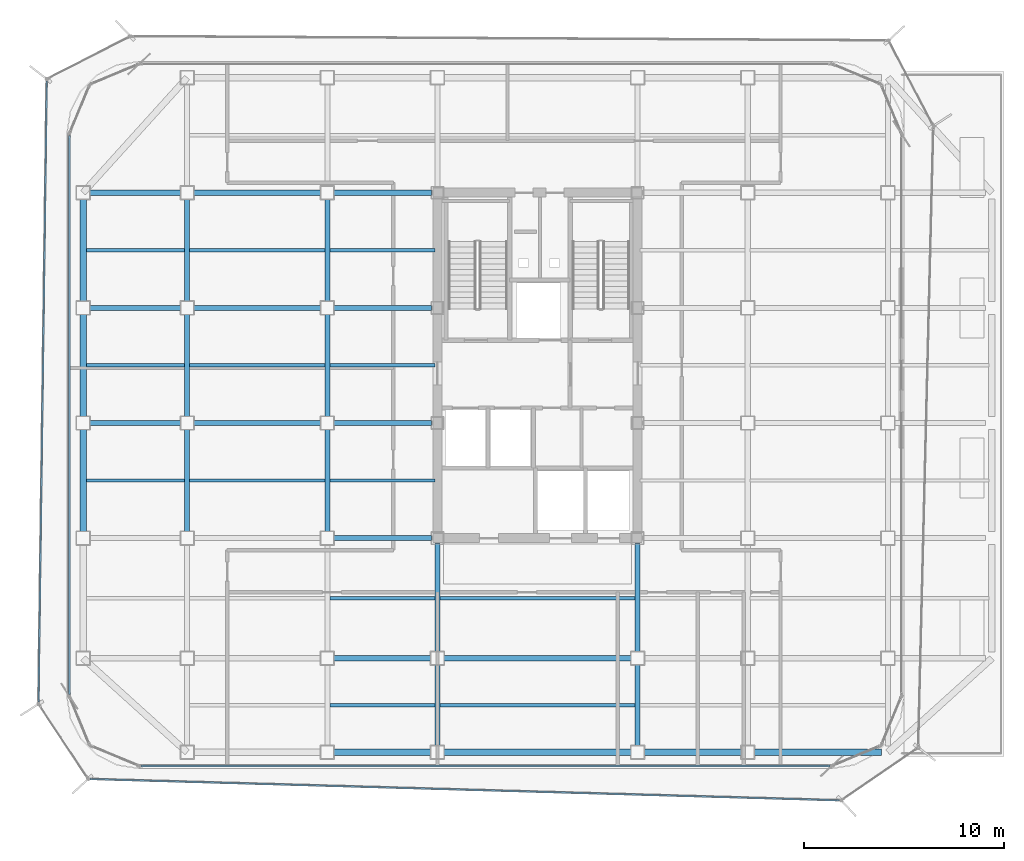
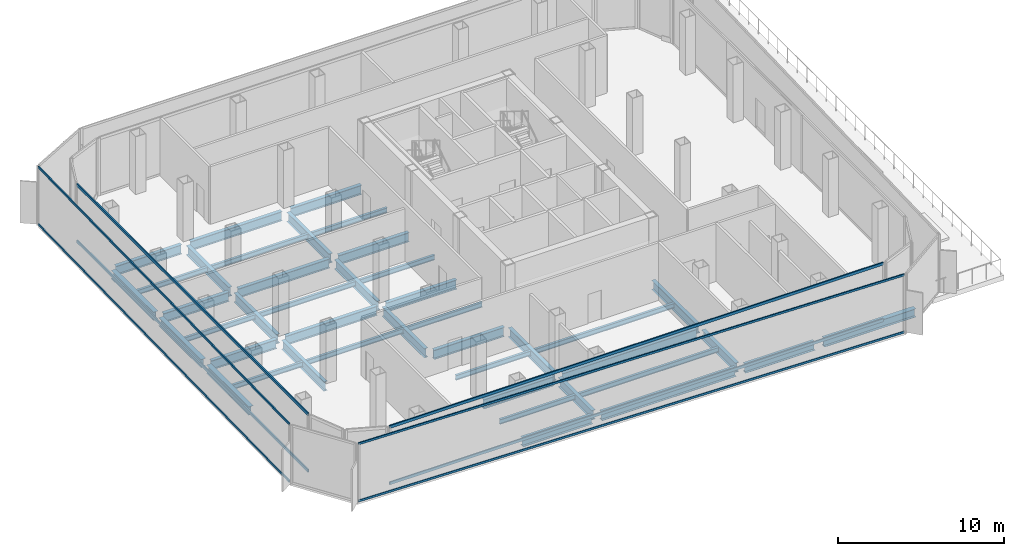
# One storey, part 3 of 14: 42 beams, 8 members, 4 elements without a shape of their own.
"""IFC4 building model written with IfcOpenShell, lengths in metres."""

from ifc_helpers import new_model, si_unit, direction, frame, origin, origin_2d, place, context, subcontext, project, spatial, hollow_rectangle, i_section, extrude, source, transform, mapped, material, layer, layer_set, material_profile, profile_set, type_object, element, aggregate, save


model = new_model("IFC4")

# Units and contexts
model_context = context("Model", 3, precision=1e-05, world=origin(), true_north=direction((0.0, 1.0)))
body_context = subcontext(model_context, "Body", "Model", "MODEL_VIEW")
ifc_project = project(units=[si_unit("LENGTHUNIT", "METRE"), si_unit("AREAUNIT", "SQUARE_METRE"), si_unit("VOLUMEUNIT", "CUBIC_METRE"), si_unit("PLANEANGLEUNIT", "RADIAN"), si_unit("MASSUNIT", "GRAM", prefix="KILO")], contexts=[model_context])

# Site, building, storey
site_placement = place(None, origin())
site = spatial("IfcSite", under=ifc_project, at=site_placement, CompositionType="ELEMENT")
building_placement = place(site_placement, origin())
building = spatial("IfcBuilding", under=site, at=building_placement, Name="Kolveth Station Tower", CompositionType="ELEMENT")
storey_placement = place(building_placement, frame((0.0, 0.0, 151.60009765625)))
storey = spatial("IfcBuildingStorey", under=building, at=storey_placement, Name="L42", CompositionType="ELEMENT", Elevation=151.60009765625)

# Beams
ifc_material_1 = material(Name="Steel S355", Category="steel")
ifc_material_profile_1 = material_profile(ifc_material_1, i_section(OverallWidth=0.323974609375, OverallDepth=0.611083984375, WebThickness=0.0126953125, FlangeThickness=0.01904296875, at=origin_2d()), Name="W610x155")
ifc_profile_set_1 = profile_set([ifc_material_profile_1], Name="Steel S355")
beam_type_1 = type_object("IfcBeamType", Name="Beam_SP2", PredefinedType="SPANDREL", material=ifc_profile_set_1)
shared_shape_1 = source(origin(), body_context, "Body", "SweptSolid", [
    extrude(i_section(OverallWidth=0.323974609375, OverallDepth=0.611083984375, WebThickness=0.0126953125, FlangeThickness=0.01904296875, at=origin_2d()), origin(), (0.0, 0.0, 1.0), 6.35986328125),
])
beam_1_placement = place(storey_placement, frame((34.320068359375, 0.800048828125, -0.66552734375), z_axis=(1.0, 0.0, 0.0), x_axis=(0.0, 1.0, 0.0)))
element("IfcBeam", 1, at=beam_1_placement, inside=storey, type_object=beam_type_1, Name="L42 Perimeter Spandrel BM-L42-PS-5", PredefinedType="SPANDREL", context=body_context, shape_type="MappedRepresentation", body=[
    mapped(shared_shape_1, transform((0.0, 0.0, 0.0), x_axis=(1.0, 0.0, 0.0), y_axis=(0.0, 1.0, 0.0), z_axis=(0.0, 0.0, 1.0), scale=1.0)),
])
shared_shape_2 = source(origin(), body_context, "Body", "SweptSolid", [
    extrude(i_section(OverallWidth=0.323974609375, OverallDepth=0.611083984375, WebThickness=0.0126953125, FlangeThickness=0.01904296875, at=origin_2d()), origin(), (0.0, 0.0, 1.0), 4.85986328125),
])
for number, where, z_axis, x_axis, name in (
    (2, (13.320068359375, 0.800048828125, -0.66552734375), (1.0, 0.0, 0.0), (0.0, 1.0, 0.0), "L42 Perimeter Spandrel BM-L42-PS-2"),
    (3, (28.820068359375, 0.800048828125, -0.66552734375), (1.0, 0.0, 0.0), (0.0, 1.0, 0.0), "L42 Perimeter Spandrel BM-L42-PS-4"),
):
    element("IfcBeam", number, at=place(storey_placement, frame(where, z_axis=z_axis, x_axis=x_axis)), inside=storey, type_object=beam_type_1, Name=name, PredefinedType="SPANDREL", context=body_context, shape_type="MappedRepresentation", body=[
        mapped(shared_shape_2, transform((0.0, 0.0, 0.0), x_axis=(1.0, 0.0, 0.0), y_axis=(0.0, 1.0, 0.0), z_axis=(0.0, 0.0, 1.0), scale=1.0)),
    ])
shared_shape_3 = source(origin(), body_context, "Body", "SweptSolid", [
    extrude(i_section(OverallWidth=0.323974609375, OverallDepth=0.611083984375, WebThickness=0.0126953125, FlangeThickness=0.01904296875, at=origin_2d()), origin(), (0.0, 0.0, 1.0), 9.35986328125),
])
beam_2_placement = place(storey_placement, frame((18.820068359375, 0.800048828125, -0.66552734375), z_axis=(1.0, 0.0, 0.0), x_axis=(0.0, 1.0, 0.0)))
element("IfcBeam", 4, at=beam_2_placement, inside=storey, type_object=beam_type_1, Name="L42 Perimeter Spandrel BM-L42-PS-3", PredefinedType="SPANDREL", context=body_context, shape_type="MappedRepresentation", body=[
    mapped(shared_shape_3, transform((0.0, 0.0, 0.0), x_axis=(1.0, 0.0, 0.0), y_axis=(0.0, 1.0, 0.0), z_axis=(0.0, 0.0, 1.0), scale=1.0)),
])
shared_shape_4 = source(origin(), body_context, "Body", "SweptSolid", [
    extrude(i_section(OverallWidth=0.323974609375, OverallDepth=0.611083984375, WebThickness=0.0126953125, FlangeThickness=0.01904296875, at=origin_2d()), origin(), (0.0, 0.0, 1.0), 5.10986328125),
])
for number, where, z_axis, x_axis, name in (
    (5, (0.800048828125, 11.820068359375, -0.66552734375), (0.0, 1.0, 0.0), (-1.0, 0.0, 0.0), "L42 Perimeter Spandrel BM-L42-PW-2"),
    (6, (0.800048828125, 17.570068359375, -0.66552734375), (0.0, 1.0, 0.0), (-1.0, 0.0, 0.0), "L42 Perimeter Spandrel BM-L42-PW-3"),
    (7, (0.800048828125, 23.320068359375, -0.66552734375), (0.0, 1.0, 0.0), (-1.0, 0.0, 0.0), "L42 Perimeter Spandrel BM-L42-PW-4"),
):
    element("IfcBeam", number, at=place(storey_placement, frame(where, z_axis=z_axis, x_axis=x_axis)), inside=storey, type_object=beam_type_1, Name=name, PredefinedType="SPANDREL", context=body_context, shape_type="MappedRepresentation", body=[
        mapped(shared_shape_4, transform((0.0, 0.0, 0.0), x_axis=(1.0, 0.0, 0.0), y_axis=(0.0, 1.0, 0.0), z_axis=(0.0, 0.0, 1.0), scale=1.0)),
    ])
ifc_material_profile_2 = material_profile(ifc_material_1, i_section(OverallWidth=0.25390625, OverallDepth=0.68798828125, WebThickness=0.01318359375, FlangeThickness=0.02099609375, at=origin_2d()), Name="W690x152")
ifc_profile_set_2 = profile_set([ifc_material_profile_2], Name="Steel S355")
beam_type_2 = type_object("IfcBeamType", Name="Beam_B4", PredefinedType="BEAM", material=ifc_profile_set_2)
shared_shape_5 = source(origin(), body_context, "Body", "SweptSolid", [
    extrude(i_section(OverallWidth=0.25390625, OverallDepth=0.68798828125, WebThickness=0.01318359375, FlangeThickness=0.02099609375, at=origin_2d()), origin(), (0.0, 0.0, 1.0), 4.559814453125),
])
for number, where, z_axis, x_axis, name in (
    (8, (1.1201171875, 17.25, -0.7041015625), (1.0, 0.0, 0.0), (0.0, 1.0, 0.0), "L42 Primary Girder BM-L42-GY172-1"),
    (9, (1.1201171875, 23.0, -0.7041015625), (1.0, 0.0, 0.0), (0.0, 1.0, 0.0), "L42 Primary Girder BM-L42-GY230-1"),
    (10, (1.1201171875, 28.75, -0.7041015625), (1.0, 0.0, 0.0), (0.0, 1.0, 0.0), "L42 Primary Girder BM-L42-GY287-1"),
):
    element("IfcBeam", number, at=place(storey_placement, frame(where, z_axis=z_axis, x_axis=x_axis)), inside=storey, type_object=beam_type_2, Name=name, PredefinedType="BEAM", context=body_context, shape_type="MappedRepresentation", body=[
        mapped(shared_shape_5, transform((0.0, 0.0, 0.0), x_axis=(1.0, 0.0, 0.0), y_axis=(0.0, 1.0, 0.0), z_axis=(0.0, 0.0, 1.0), scale=1.0)),
    ])
shared_shape_6 = source(origin(), body_context, "Body", "SweptSolid", [
    extrude(i_section(OverallWidth=0.25390625, OverallDepth=0.68798828125, WebThickness=0.01318359375, FlangeThickness=0.02099609375, at=origin_2d()), origin(), (0.0, 0.0, 1.0), 6.35986328125),
])
for number, where, z_axis, x_axis, name in (
    (11, (6.320068359375, 17.25, -0.7041015625), (1.0, 0.0, 0.0), (0.0, 1.0, 0.0), "L42 Primary Girder BM-L42-GY172-2"),
    (12, (6.320068359375, 23.0, -0.7041015625), (1.0, 0.0, 0.0), (0.0, 1.0, 0.0), "L42 Primary Girder BM-L42-GY230-2"),
    (13, (6.320068359375, 28.75, -0.7041015625), (1.0, 0.0, 0.0), (0.0, 1.0, 0.0), "L42 Primary Girder BM-L42-GY287-2"),
):
    element("IfcBeam", number, at=place(storey_placement, frame(where, z_axis=z_axis, x_axis=x_axis)), inside=storey, type_object=beam_type_2, Name=name, PredefinedType="BEAM", context=body_context, shape_type="MappedRepresentation", body=[
        mapped(shared_shape_6, transform((0.0, 0.0, 0.0), x_axis=(1.0, 0.0, 0.0), y_axis=(0.0, 1.0, 0.0), z_axis=(0.0, 0.0, 1.0), scale=1.0)),
    ])
shared_shape_7 = source(origin(), body_context, "Body", "SweptSolid", [
    extrude(i_section(OverallWidth=0.25390625, OverallDepth=0.68798828125, WebThickness=0.01318359375, FlangeThickness=0.02099609375, at=origin_2d()), origin(), (0.0, 0.0, 1.0), 4.85986328125),
])
beam_3_placement = place(storey_placement, frame((13.320068359375, 5.5, -0.7041015625), z_axis=(1.0, 0.0, 0.0), x_axis=(0.0, 1.0, 0.0)))
element("IfcBeam", 14, at=beam_3_placement, inside=storey, type_object=beam_type_2, Name="L42 Primary Girder BM-L42-GY55-3", PredefinedType="BEAM", context=body_context, shape_type="MappedRepresentation", body=[
    mapped(shared_shape_7, transform((0.0, 0.0, 0.0), x_axis=(1.0, 0.0, 0.0), y_axis=(0.0, 1.0, 0.0), z_axis=(0.0, 0.0, 1.0), scale=1.0)),
])
shared_shape_8 = source(origin(), body_context, "Body", "SweptSolid", [
    extrude(i_section(OverallWidth=0.25390625, OverallDepth=0.68798828125, WebThickness=0.01318359375, FlangeThickness=0.02099609375, at=origin_2d()), origin(), (0.0, 0.0, 1.0), 9.35986328125),
])
beam_4_placement = place(storey_placement, frame((18.820068359375, 5.5, -0.7041015625), z_axis=(1.0, 0.0, 0.0), x_axis=(0.0, 1.0, 0.0)))
element("IfcBeam", 15, at=beam_4_placement, inside=storey, type_object=beam_type_2, Name="L42 Primary Girder BM-L42-GY55-4", PredefinedType="BEAM", context=body_context, shape_type="MappedRepresentation", body=[
    mapped(shared_shape_8, transform((0.0, 0.0, 0.0), x_axis=(1.0, 0.0, 0.0), y_axis=(0.0, 1.0, 0.0), z_axis=(0.0, 0.0, 1.0), scale=1.0)),
])
shared_shape_9 = source(origin(), body_context, "Body", "SweptSolid", [
    extrude(i_section(OverallWidth=0.25390625, OverallDepth=0.68798828125, WebThickness=0.01318359375, FlangeThickness=0.02099609375, at=origin_2d()), origin(), (0.0, 0.0, 1.0), 4.89990234375),
])
for number, where, z_axis, x_axis, name in (
    (16, (13.320068359375, 11.5, -0.7041015625), (1.0, 0.0, 0.0), (0.0, 1.0, 0.0), "L42 Primary Girder BM-L42-GY115-3"),
    (17, (13.320068359375, 17.25, -0.7041015625), (1.0, 0.0, 0.0), (0.0, 1.0, 0.0), "L42 Primary Girder BM-L42-GY172-3"),
    (18, (13.320068359375, 23.0, -0.7041015625), (1.0, 0.0, 0.0), (0.0, 1.0, 0.0), "L42 Primary Girder BM-L42-GY230-3"),
    (19, (13.320068359375, 28.75, -0.7041015625), (1.0, 0.0, 0.0), (0.0, 1.0, 0.0), "L42 Primary Girder BM-L42-GY287-3"),
):
    element("IfcBeam", number, at=place(storey_placement, frame(where, z_axis=z_axis, x_axis=x_axis)), inside=storey, type_object=beam_type_2, Name=name, PredefinedType="BEAM", context=body_context, shape_type="MappedRepresentation", body=[
        mapped(shared_shape_9, transform((0.0, 0.0, 0.0), x_axis=(1.0, 0.0, 0.0), y_axis=(0.0, 1.0, 0.0), z_axis=(0.0, 0.0, 1.0), scale=1.0)),
    ])
shared_shape_10 = source(origin(), body_context, "Body", "SweptSolid", [
    extrude(i_section(OverallWidth=0.25390625, OverallDepth=0.68798828125, WebThickness=0.01318359375, FlangeThickness=0.02099609375, at=origin_2d()), origin(), (0.0, 0.0, 1.0), 4.059814453125),
])
for number, where, z_axis, x_axis, name in (
    (20, (18.5, 1.1201171875, -0.7041015625), (0.0, 1.0, 0.0), (-1.0, 0.0, 0.0), "L42 Primary Girder BM-L42-GX185-1"),
    (21, (28.5, 1.1201171875, -0.7041015625), (0.0, 1.0, 0.0), (-1.0, 0.0, 0.0), "L42 Primary Girder BM-L42-GX285-1"),
):
    element("IfcBeam", number, at=place(storey_placement, frame(where, z_axis=z_axis, x_axis=x_axis)), inside=storey, type_object=beam_type_2, Name=name, PredefinedType="BEAM", context=body_context, shape_type="MappedRepresentation", body=[
        mapped(shared_shape_10, transform((0.0, 0.0, 0.0), x_axis=(1.0, 0.0, 0.0), y_axis=(0.0, 1.0, 0.0), z_axis=(0.0, 0.0, 1.0), scale=1.0)),
    ])
shared_shape_11 = source(origin(), body_context, "Body", "SweptSolid", [
    extrude(i_section(OverallWidth=0.25390625, OverallDepth=0.68798828125, WebThickness=0.01318359375, FlangeThickness=0.02099609375, at=origin_2d()), origin(), (0.0, 0.0, 1.0), 5.10986328125),
])
for number, where, z_axis, x_axis, name in (
    (22, (6.0, 11.820068359375, -0.7041015625), (0.0, 1.0, 0.0), (-1.0, 0.0, 0.0), "L42 Primary Girder BM-L42-GX60-3"),
    (23, (6.0, 17.570068359375, -0.7041015625), (0.0, 1.0, 0.0), (-1.0, 0.0, 0.0), "L42 Primary Girder BM-L42-GX60-4"),
    (24, (6.0, 23.320068359375, -0.7041015625), (0.0, 1.0, 0.0), (-1.0, 0.0, 0.0), "L42 Primary Girder BM-L42-GX60-5"),
    (25, (13.0, 11.820068359375, -0.7041015625), (0.0, 1.0, 0.0), (-1.0, 0.0, 0.0), "L42 Primary Girder BM-L42-GX130-3"),
    (26, (13.0, 17.570068359375, -0.7041015625), (0.0, 1.0, 0.0), (-1.0, 0.0, 0.0), "L42 Primary Girder BM-L42-GX130-4"),
    (27, (13.0, 23.320068359375, -0.7041015625), (0.0, 1.0, 0.0), (-1.0, 0.0, 0.0), "L42 Primary Girder BM-L42-GX130-5"),
):
    element("IfcBeam", number, at=place(storey_placement, frame(where, z_axis=z_axis, x_axis=x_axis)), inside=storey, type_object=beam_type_2, Name=name, PredefinedType="BEAM", context=body_context, shape_type="MappedRepresentation", body=[
        mapped(shared_shape_11, transform((0.0, 0.0, 0.0), x_axis=(1.0, 0.0, 0.0), y_axis=(0.0, 1.0, 0.0), z_axis=(0.0, 0.0, 1.0), scale=1.0)),
    ])
shared_shape_12 = source(origin(), body_context, "Body", "SweptSolid", [
    extrude(i_section(OverallWidth=0.25390625, OverallDepth=0.68798828125, WebThickness=0.01318359375, FlangeThickness=0.02099609375, at=origin_2d()), origin(), (0.0, 0.0, 1.0), 5.39990234375),
])
for number, where, z_axis, x_axis, name in (
    (28, (18.5, 5.820068359375, -0.7041015625), (0.0, 1.0, 0.0), (-1.0, 0.0, 0.0), "L42 Primary Girder BM-L42-GX185-2"),
    (29, (28.5, 5.820068359375, -0.7041015625), (0.0, 1.0, 0.0), (-1.0, 0.0, 0.0), "L42 Primary Girder BM-L42-GX285-2"),
):
    element("IfcBeam", number, at=place(storey_placement, frame(where, z_axis=z_axis, x_axis=x_axis)), inside=storey, type_object=beam_type_2, Name=name, PredefinedType="BEAM", context=body_context, shape_type="MappedRepresentation", body=[
        mapped(shared_shape_12, transform((0.0, 0.0, 0.0), x_axis=(1.0, 0.0, 0.0), y_axis=(0.0, 1.0, 0.0), z_axis=(0.0, 0.0, 1.0), scale=1.0)),
    ])
ifc_material_profile_3 = material_profile(ifc_material_1, i_section(OverallWidth=0.1708984375, OverallDepth=0.35205078125, WebThickness=0.0068359375, FlangeThickness=0.009765625, at=origin_2d()), Name="W360x44")
ifc_profile_set_3 = profile_set([ifc_material_profile_3], Name="Steel S355")
beam_type_3 = type_object("IfcBeamType", Name="Beam_J2", PredefinedType="JOIST", material=ifc_profile_set_3)
shared_shape_13 = source(origin(), body_context, "Body", "SweptSolid", [
    extrude(i_section(OverallWidth=0.1708984375, OverallDepth=0.35205078125, WebThickness=0.0068359375, FlangeThickness=0.009765625, at=origin_2d()), origin(), (0.0, 0.0, 1.0), 4.9150390625),
])
for number, where, z_axis, x_axis, name in (
    (30, (0.9599609375, 14.375, -0.5361328125), (1.0, 0.0, 0.0), (0.0, 1.0, 0.0), "L42 Secondary Joist JST-L42-1-3"),
    (31, (0.9599609375, 20.125, -0.5361328125), (1.0, 0.0, 0.0), (0.0, 1.0, 0.0), "L42 Secondary Joist JST-L42-1-4"),
    (32, (0.9599609375, 25.875, -0.5361328125), (1.0, 0.0, 0.0), (0.0, 1.0, 0.0), "L42 Secondary Joist JST-L42-1-5"),
):
    element("IfcBeam", number, at=place(storey_placement, frame(where, z_axis=z_axis, x_axis=x_axis)), inside=storey, type_object=beam_type_3, Name=name, PredefinedType="JOIST", context=body_context, shape_type="MappedRepresentation", body=[
        mapped(shared_shape_13, transform((0.0, 0.0, 0.0), x_axis=(1.0, 0.0, 0.0), y_axis=(0.0, 1.0, 0.0), z_axis=(0.0, 0.0, 1.0), scale=1.0)),
    ])
shared_shape_14 = source(origin(), body_context, "Body", "SweptSolid", [
    extrude(i_section(OverallWidth=0.1708984375, OverallDepth=0.35205078125, WebThickness=0.0068359375, FlangeThickness=0.009765625, at=origin_2d()), origin(), (0.0, 0.0, 1.0), 6.75),
])
for number, where, z_axis, x_axis, name in (
    (33, (6.125, 14.375, -0.5361328125), (1.0, 0.0, 0.0), (0.0, 1.0, 0.0), "L42 Secondary Joist JST-L42-2-3"),
    (34, (6.125, 20.125, -0.5361328125), (1.0, 0.0, 0.0), (0.0, 1.0, 0.0), "L42 Secondary Joist JST-L42-2-4"),
    (35, (6.125, 25.875, -0.5361328125), (1.0, 0.0, 0.0), (0.0, 1.0, 0.0), "L42 Secondary Joist JST-L42-2-5"),
):
    element("IfcBeam", number, at=place(storey_placement, frame(where, z_axis=z_axis, x_axis=x_axis)), inside=storey, type_object=beam_type_3, Name=name, PredefinedType="JOIST", context=body_context, shape_type="MappedRepresentation", body=[
        mapped(shared_shape_14, transform((0.0, 0.0, 0.0), x_axis=(1.0, 0.0, 0.0), y_axis=(0.0, 1.0, 0.0), z_axis=(0.0, 0.0, 1.0), scale=1.0)),
    ])
shared_shape_15 = source(origin(), body_context, "Body", "SweptSolid", [
    extrude(i_section(OverallWidth=0.1708984375, OverallDepth=0.35205078125, WebThickness=0.0068359375, FlangeThickness=0.009765625, at=origin_2d()), origin(), (0.0, 0.0, 1.0), 5.25),
])
for number, where, z_axis, x_axis, name in (
    (36, (13.125, 3.14990234375, -0.5361328125), (1.0, 0.0, 0.0), (0.0, 1.0, 0.0), "L42 Secondary Joist JST-L42-3-1"),
    (37, (13.125, 8.5, -0.5361328125), (1.0, 0.0, 0.0), (0.0, 1.0, 0.0), "L42 Secondary Joist JST-L42-3-2"),
    (38, (13.125, 14.375, -0.5361328125), (1.0, 0.0, 0.0), (0.0, 1.0, 0.0), "L42 Secondary Joist JST-L42-3-3"),
    (39, (13.125, 20.125, -0.5361328125), (1.0, 0.0, 0.0), (0.0, 1.0, 0.0), "L42 Secondary Joist JST-L42-3-4"),
    (40, (13.125, 25.875, -0.5361328125), (1.0, 0.0, 0.0), (0.0, 1.0, 0.0), "L42 Secondary Joist JST-L42-3-5"),
):
    element("IfcBeam", number, at=place(storey_placement, frame(where, z_axis=z_axis, x_axis=x_axis)), inside=storey, type_object=beam_type_3, Name=name, PredefinedType="JOIST", context=body_context, shape_type="MappedRepresentation", body=[
        mapped(shared_shape_15, transform((0.0, 0.0, 0.0), x_axis=(1.0, 0.0, 0.0), y_axis=(0.0, 1.0, 0.0), z_axis=(0.0, 0.0, 1.0), scale=1.0)),
    ])
shared_shape_16 = source(origin(), body_context, "Body", "SweptSolid", [
    extrude(i_section(OverallWidth=0.1708984375, OverallDepth=0.35205078125, WebThickness=0.0068359375, FlangeThickness=0.009765625, at=origin_2d()), origin(), (0.0, 0.0, 1.0), 9.75),
])
for number, where, z_axis, x_axis, name in (
    (41, (18.625, 3.14990234375, -0.5361328125), (1.0, 0.0, 0.0), (0.0, 1.0, 0.0), "L42 Secondary Joist JST-L42-4-1"),
    (42, (18.625, 8.5, -0.5361328125), (1.0, 0.0, 0.0), (0.0, 1.0, 0.0), "L42 Secondary Joist JST-L42-4-2"),
):
    element("IfcBeam", number, at=place(storey_placement, frame(where, z_axis=z_axis, x_axis=x_axis)), inside=storey, type_object=beam_type_3, Name=name, PredefinedType="JOIST", context=body_context, shape_type="MappedRepresentation", body=[
        mapped(shared_shape_16, transform((0.0, 0.0, 0.0), x_axis=(1.0, 0.0, 0.0), y_axis=(0.0, 1.0, 0.0), z_axis=(0.0, 0.0, 1.0), scale=1.0)),
    ])

# Curtain wall, members
ifc_material_2 = material(Name="Aluminium 6063-T6 and acoustic laminated dark glass", Category="aluminium")
ifc_layer_1 = layer(ifc_material_2, 0.219970703125)
ifc_layer_set_1 = layer_set([ifc_layer_1], Name="Aluminium 6063-T6 and acoustic laminated dark glass")
curtain_wall_type_1 = type_object("IfcCurtainWallType", Name="CurtainWall_CW-SL", PredefinedType="NOTDEFINED", material=ifc_layer_set_1)
curtain_wall_1_placement = place(storey_placement, origin())
curtain_wall_1 = element("IfcCurtainWall", 43, at=curtain_wall_1_placement, inside=storey, type_object=curtain_wall_type_1, Name="L42 Inner Thermal Curtain Wall 9", PredefinedType="NOTDEFINED")
ifc_material_3 = material(Name="Black anodized aluminium 6063-T6", Category="aluminium")
ifc_material_profile_4 = material_profile(ifc_material_3, hollow_rectangle(XDim=0.090087890625, YDim=0.199951171875, WallThickness=0.0048828125, at=origin_2d()), Name="ALU-90x200x5")
ifc_profile_set_4 = profile_set([ifc_material_profile_4], Name="Black anodized aluminium 6063-T6")
member_type_1 = type_object("IfcMemberType", Name="Transom_TR-SL", PredefinedType="USERDEFINED", material=ifc_profile_set_4)
shared_shape_17 = source(origin(), body_context, "Body", "SweptSolid", [
    extrude(hollow_rectangle(XDim=0.090087890625, YDim=0.199951171875, WallThickness=0.0048828125, at=origin_2d()), origin(), (0.0, 0.0, 1.0), 27.909912109375),
])
member_1_placement = place(storey_placement, frame((0.1201171875, 31.60498046875, 0.044921875), z_axis=(0.0, -1.0, 0.0), x_axis=(1.0, 0.0, 0.0)))
member_1 = element("IfcMember", 44, at=member_1_placement, type_object=member_type_1, Name="CW-SL transom 1.1", ObjectType="TRANSOM", PredefinedType="USERDEFINED", context=body_context, shape_type="MappedRepresentation", body=[
    mapped(shared_shape_17, transform((0.0, 0.0, 0.0), x_axis=(1.0, 0.0, 0.0), y_axis=(0.0, 1.0, 0.0), z_axis=(0.0, 0.0, 1.0), scale=1.0)),
])
member_2_placement = place(storey_placement, frame((0.1201171875, 31.60498046875, 4.204833984375), z_axis=(0.0, -1.0, 0.0), x_axis=(1.0, 0.0, 0.0)))
member_2 = element("IfcMember", 45, at=member_2_placement, type_object=member_type_1, Name="CW-SL transom 1.2", ObjectType="TRANSOM", PredefinedType="USERDEFINED", context=body_context, shape_type="MappedRepresentation", body=[
    mapped(shared_shape_17, transform((0.0, 0.0, 0.0), x_axis=(1.0, 0.0, 0.0), y_axis=(0.0, 1.0, 0.0), z_axis=(0.0, 0.0, 1.0), scale=1.0)),
])
aggregate(curtain_wall_1, [member_1, member_2])

curtain_wall_2_placement = place(storey_placement, origin())
curtain_wall_2 = element("IfcCurtainWall", 46, at=curtain_wall_2_placement, inside=storey, type_object=curtain_wall_type_1, Name="L42 Inner Thermal Curtain Wall 12", PredefinedType="NOTDEFINED")
shared_shape_18 = source(origin(), body_context, "Body", "SweptSolid", [
    extrude(hollow_rectangle(XDim=0.090087890625, YDim=0.199951171875, WallThickness=0.0048828125, at=origin_2d()), origin(), (0.0, 0.0, 1.0), 34.409912109375),
])
member_3_placement = place(storey_placement, frame((3.695068359375, 0.1201171875, 0.044921875), z_axis=(1.0, 0.0, 0.0), x_axis=(0.0, 1.0, 0.0)))
member_3 = element("IfcMember", 47, at=member_3_placement, type_object=member_type_1, Name="CW-SL transom 1.1", ObjectType="TRANSOM", PredefinedType="USERDEFINED", context=body_context, shape_type="MappedRepresentation", body=[
    mapped(shared_shape_18, transform((0.0, 0.0, 0.0), x_axis=(1.0, 0.0, 0.0), y_axis=(0.0, 1.0, 0.0), z_axis=(0.0, 0.0, 1.0), scale=1.0)),
])
member_4_placement = place(storey_placement, frame((3.695068359375, 0.1201171875, 4.204833984375), z_axis=(1.0, 0.0, 0.0), x_axis=(0.0, 1.0, 0.0)))
member_4 = element("IfcMember", 48, at=member_4_placement, type_object=member_type_1, Name="CW-SL transom 1.2", ObjectType="TRANSOM", PredefinedType="USERDEFINED", context=body_context, shape_type="MappedRepresentation", body=[
    mapped(shared_shape_18, transform((0.0, 0.0, 0.0), x_axis=(1.0, 0.0, 0.0), y_axis=(0.0, 1.0, 0.0), z_axis=(0.0, 0.0, 1.0), scale=1.0)),
])
aggregate(curtain_wall_2, [member_3, member_4])

ifc_material_4 = material(Name="Black anodized aluminium 6063-T6 and dark solar glass", Category="aluminium")
ifc_layer_2 = layer(ifc_material_4, 0.159912109375)
ifc_layer_set_2 = layer_set([ifc_layer_2], Name="Black anodized aluminium 6063-T6 and dark solar glass")
curtain_wall_type_2 = type_object("IfcCurtainWallType", Name="OUTER SKIN CW-OS", PredefinedType="NOTDEFINED", material=ifc_layer_set_2)
curtain_wall_3_placement = place(storey_placement, origin())
curtain_wall_3 = element("IfcCurtainWall", 49, at=curtain_wall_3_placement, inside=storey, type_object=curtain_wall_type_2, Name="L42 Outer Ventilated Skin Curtain Wall 6", PredefinedType="NOTDEFINED")
ifc_material_profile_5 = material_profile(ifc_material_3, hollow_rectangle(XDim=0.080078125, YDim=0.14990234375, WallThickness=0.0048828125, at=origin_2d()), Name="ALU-80x150x5")
ifc_profile_set_5 = profile_set([ifc_material_profile_5], Name="Black anodized aluminium 6063-T6")
member_type_2 = type_object("IfcMemberType", Name="Transom_TR-OS", PredefinedType="USERDEFINED", material=ifc_profile_set_5)
shared_shape_19 = source(origin(), body_context, "Body", "SweptSolid", [
    extrude(hollow_rectangle(XDim=0.080078125, YDim=0.14990234375, WallThickness=0.0048828125, at=origin_2d()), origin(), (0.0, 0.0, 1.0), 31.032958984375),
])
member_5_placement = place(storey_placement, frame((-1.01025390625, 34.33837890625, 0.039794921875), z_axis=(-0.01324038137, -0.999912342309, 0.0), x_axis=(0.999912342309, -0.01324038137, 0.0)))
member_5 = element("IfcMember", 50, at=member_5_placement, type_object=member_type_2, Name="CW-OS transom 1.1", ObjectType="TRANSOM", PredefinedType="USERDEFINED", context=body_context, shape_type="MappedRepresentation", body=[
    mapped(shared_shape_19, transform((0.0, 0.0, 0.0), x_axis=(1.0, 0.0, 0.0), y_axis=(0.0, 1.0, 0.0), z_axis=(0.0, 0.0, 1.0), scale=1.0)),
])
member_6_placement = place(storey_placement, frame((-1.01025390625, 34.33837890625, 4.25), z_axis=(-0.01324038137, -0.999912342309, 0.0), x_axis=(0.999912342309, -0.01324038137, 0.0)))
member_6 = element("IfcMember", 51, at=member_6_placement, type_object=member_type_2, Name="CW-OS transom 1.2", ObjectType="TRANSOM", PredefinedType="USERDEFINED", context=body_context, shape_type="MappedRepresentation", body=[
    mapped(shared_shape_19, transform((0.0, 0.0, 0.0), x_axis=(1.0, 0.0, 0.0), y_axis=(0.0, 1.0, 0.0), z_axis=(0.0, 0.0, 1.0), scale=1.0)),
])
aggregate(curtain_wall_3, [member_5, member_6])

curtain_wall_4_placement = place(storey_placement, origin())
curtain_wall_4 = element("IfcCurtainWall", 52, at=curtain_wall_4_placement, inside=storey, type_object=curtain_wall_type_2, Name="L42 Outer Ventilated Skin Curtain Wall 8", PredefinedType="NOTDEFINED")
shared_shape_20 = source(origin(), body_context, "Body", "SweptSolid", [
    extrude(hollow_rectangle(XDim=0.080078125, YDim=0.14990234375, WallThickness=0.0048828125, at=origin_2d()), origin(), (0.0, 0.0, 1.0), 37.44921875),
])
member_7_placement = place(storey_placement, frame((1.1484375, -0.5341796875, 0.039794921875), z_axis=(0.999595032329, -0.02845648155, 0.0), x_axis=(0.02845648155, 0.999595032329, 0.0)))
member_7 = element("IfcMember", 53, at=member_7_placement, type_object=member_type_2, Name="CW-OS transom 1.1", ObjectType="TRANSOM", PredefinedType="USERDEFINED", context=body_context, shape_type="MappedRepresentation", body=[
    mapped(shared_shape_20, transform((0.0, 0.0, 0.0), x_axis=(1.0, 0.0, 0.0), y_axis=(0.0, 1.0, 0.0), z_axis=(0.0, 0.0, 1.0), scale=1.0)),
])
member_8_placement = place(storey_placement, frame((1.1484375, -0.5341796875, 4.25), z_axis=(0.999595032329, -0.02845648155, 0.0), x_axis=(0.02845648155, 0.999595032329, 0.0)))
member_8 = element("IfcMember", 54, at=member_8_placement, type_object=member_type_2, Name="CW-OS transom 1.2", ObjectType="TRANSOM", PredefinedType="USERDEFINED", context=body_context, shape_type="MappedRepresentation", body=[
    mapped(shared_shape_20, transform((0.0, 0.0, 0.0), x_axis=(1.0, 0.0, 0.0), y_axis=(0.0, 1.0, 0.0), z_axis=(0.0, 0.0, 1.0), scale=1.0)),
])
aggregate(curtain_wall_4, [member_7, member_8])

save(model, "model.ifc")
